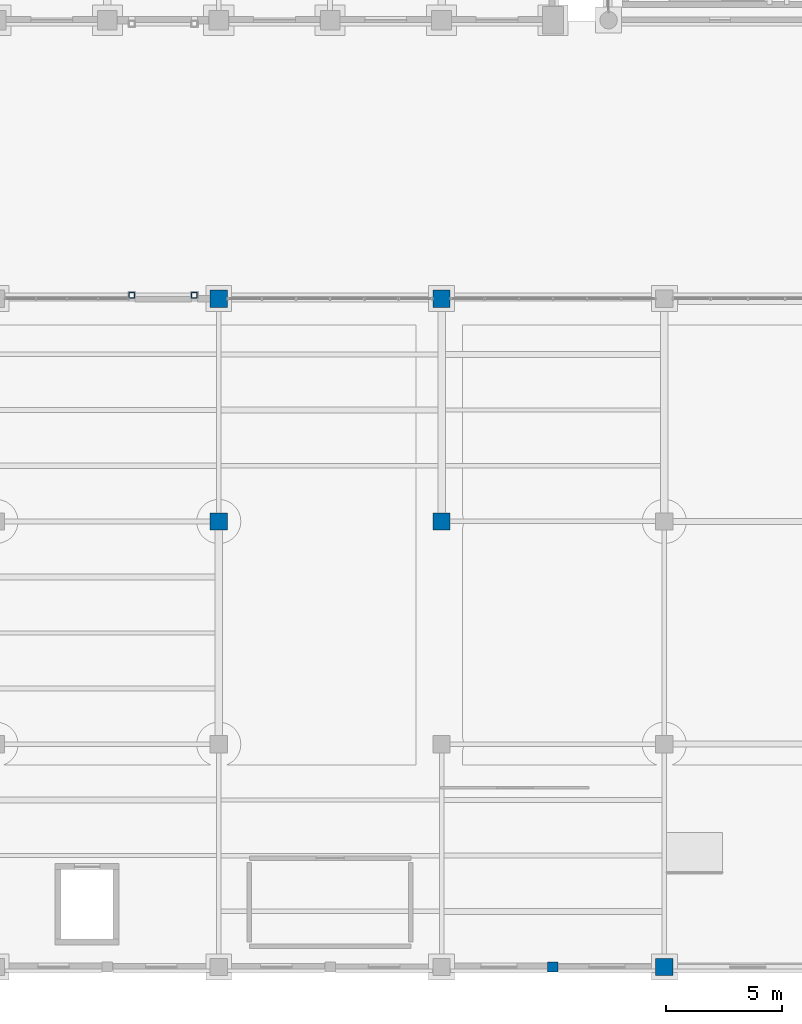
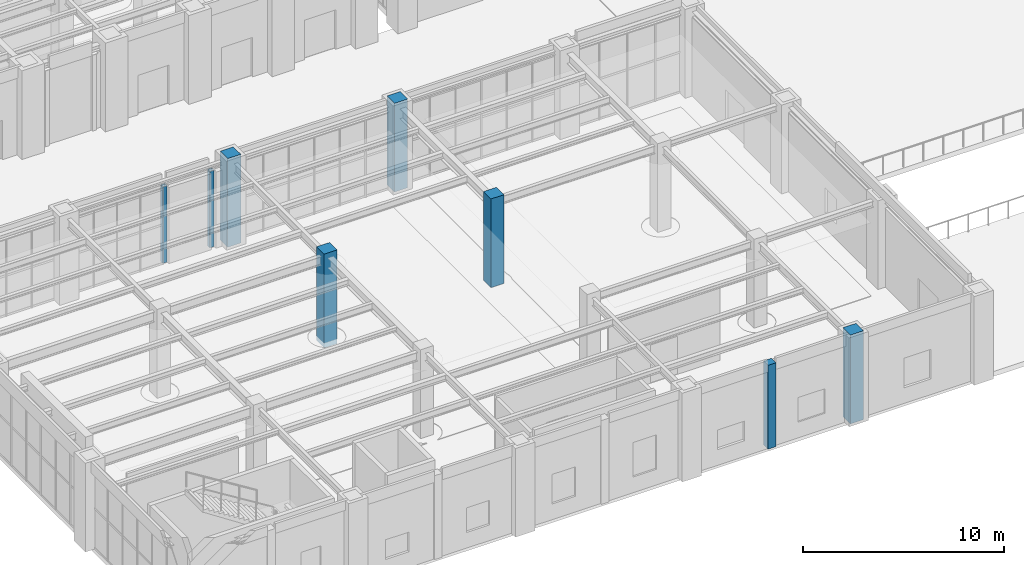
# One storey, part 3 of 164: 8 columns.
"""IFC4 building model written with IfcOpenShell, lengths in metres."""

import ifcopenshell
import ifcopenshell.guid

model = None  # the IFC model being written
_history = None  # IfcOwnerHistory: only IFC2X3 demands one
_inside = {}  # id of a spatial element -> (the spatial element, [elements in it])
_under = {}  # id of a project, library or spatial element -> (it, [spatial elements below it])
_declared = {}  # id of a project -> (the project, [libraries it declares])
_typed = {}  # id of a type object -> (the type object, [elements of that type])
_made_of = {}  # id of a material, layer set ... -> (it, [elements and type objects made of it])


def new_model(schema):
    """Start an empty IFC model of exactly this schema.

    Asked for "IFC4X3", IfcOpenShell would pick the latest addendum, in which some entities
    have other attributes; the version numbers below select the first issue.
    IFC2X3 requires an IfcOwnerHistory on every rooted entity: one is made here for all.
    """
    global model, _history
    if schema == "IFC4X3":
        model = ifcopenshell.file(schema_version=(4, 3, 0, 0))
    else:
        model = ifcopenshell.file(schema=schema)
    _inside.clear()
    _under.clear()
    _declared.clear()
    _typed.clear()
    _made_of.clear()
    _history = None
    if model.schema == "IFC2X3":
        org = make("IfcOrganization", Name="unknown")
        user = make(
            "IfcPersonAndOrganization",
            ThePerson=make("IfcPerson", FamilyName="unknown"),
            TheOrganization=org,
        )
        app = make(
            "IfcApplication",
            ApplicationDeveloper=org,
            Version="unknown",
            ApplicationFullName="unknown",
            ApplicationIdentifier="unknown",
        )
        _history = make(
            "IfcOwnerHistory",
            OwningUser=user,
            OwningApplication=app,
            ChangeAction="ADDED",
            CreationDate=0,
        )
    return model


def make(cls, **values):
    """One entity of the class cls with the attributes given. An attribute that is None is left unset."""
    return model.create_entity(
        cls, **{name: value for name, value in values.items() if value is not None}
    )


def rooted(cls, **values):
    """An entity with a GlobalId (a new one), such as an element, a storey or a relation."""
    return make(cls, GlobalId=ifcopenshell.guid.new(), OwnerHistory=_history, **values)


def si_unit(unit_type, name, prefix=None):
    """IfcSIUnit, for example si_unit("LENGTHUNIT", "METRE", prefix="MILLI")."""
    return make("IfcSIUnit", UnitType=unit_type, Prefix=prefix, Name=name)


def assignment(units):
    """IfcUnitAssignment: the units of a project."""
    return None if units is None else make("IfcUnitAssignment", Units=units)


def point(xyz):
    """IfcCartesianPoint."""
    return None if xyz is None else make("IfcCartesianPoint", Coordinates=xyz)


def direction(xyz):
    """IfcDirection."""
    return None if xyz is None else make("IfcDirection", DirectionRatios=xyz)


def frame(location, z_axis=None, x_axis=None):
    """IfcAxis2Placement3D, a coordinate frame: its origin and axes. An axis left out is left unset."""
    return make(
        "IfcAxis2Placement3D",
        Location=point(location),
        Axis=direction(z_axis),
        RefDirection=direction(x_axis),
    )


def frame_2d(location, x_axis=None):
    """IfcAxis2Placement2D, a coordinate frame in the plane: its origin and x axis."""
    return make(
        "IfcAxis2Placement2D", Location=point(location), RefDirection=direction(x_axis)
    )


def origin():
    """The frame at (0, 0, 0) with its axes left unset."""
    return frame((0.0, 0.0, 0.0))


def origin_2d():
    """The frame at (0, 0) in the plane with its x axis left unset."""
    return frame_2d((0.0, 0.0))


def place(relative_to, where):
    """IfcLocalPlacement: puts the frame where relative to a parent placement (None: the world)."""
    return make(
        "IfcLocalPlacement", PlacementRelTo=relative_to, RelativePlacement=where
    )


def context(
    kind, dimensions, precision=None, world=None, true_north=None, identifier=None
):
    """IfcGeometricRepresentationContext, for example the 3D "Model" context."""
    return make(
        "IfcGeometricRepresentationContext",
        ContextIdentifier=identifier,
        ContextType=kind,
        CoordinateSpaceDimension=dimensions,
        Precision=precision,
        WorldCoordinateSystem=world,
        TrueNorth=true_north,
    )


def subcontext(parent, identifier, kind, view, scale=None):
    """IfcGeometricRepresentationSubContext, for example "Body" below "Model"."""
    return make(
        "IfcGeometricRepresentationSubContext",
        ContextIdentifier=identifier,
        ContextType=kind,
        ParentContext=parent,
        TargetScale=scale,
        TargetView=view,
    )


def project(units=None, contexts=None):
    """IfcProject with its units and contexts."""
    return rooted(
        "IfcProject",
        Name="project",
        RepresentationContexts=contexts,
        UnitsInContext=assignment(units),
    )


def spatial(cls, under=None, at=None, **own):
    """A site, building, storey or space (cls), placed at a placement, below another one or the project."""
    s = rooted(cls, ObjectPlacement=at, **own)
    if under is not None:
        _under.setdefault(under.id(), (under, []))[1].append(s)
    return s


def profile(cls, at=None, kind="AREA", **sizes):
    """A parametric profile (cls). Its sizes go by their IFC names, for example OverallWidth=200.0."""
    return make(cls, ProfileType=kind, Position=at, **sizes)


def rectangle(**sizes):
    """IfcRectangleProfileDef."""
    return profile("IfcRectangleProfileDef", **sizes)


def hollow_rectangle(**sizes):
    """IfcRectangleHollowProfileDef."""
    return profile("IfcRectangleHollowProfileDef", **sizes)


def extrude(swept, where, along, depth):
    """IfcExtrudedAreaSolid: the profile swept, set in the frame where, extruded along a direction by depth."""
    return make(
        "IfcExtrudedAreaSolid",
        SweptArea=swept,
        Position=where,
        ExtrudedDirection=direction(along),
        Depth=depth,
    )


def shape(context_of_items, identifier, shape_type, items):
    """IfcShapeRepresentation: the items that make up one representation, for example the "Body"."""
    return make(
        "IfcShapeRepresentation",
        ContextOfItems=context_of_items,
        RepresentationIdentifier=identifier,
        RepresentationType=shape_type,
        Items=items,
    )


def material(Name=None, Category=None):
    """IfcMaterial."""
    return make("IfcMaterial", Name=Name, Category=Category)


def material_profile(
    of_material, cross_section, Name=None, Category=None, Priority=None
):
    """IfcMaterialProfile: a cross section and its material."""
    return make(
        "IfcMaterialProfile",
        Name=Name,
        Material=of_material,
        Profile=cross_section,
        Priority=Priority,
        Category=Category,
    )


def profile_set(profiles, Name=None, composite=None):
    """IfcMaterialProfileSet."""
    return make(
        "IfcMaterialProfileSet",
        Name=Name,
        MaterialProfiles=profiles,
        CompositeProfile=composite,
    )


def made_of(thing, what):
    """Note that an element or type object is made of a material, layer set ...; save() writes the relation."""
    if what is not None:
        _made_of.setdefault(what.id(), (what, []))[1].append(thing)
    return thing


def type_object(cls, material=None, **own):
    """A type object (cls), such as IfcWallType, which elements share."""
    return made_of(rooted(cls, **own), material)


def element(
    cls,
    number,
    at=None,
    inside=None,
    cuts=None,
    type_object=None,
    material=None,
    context=None,
    identifier="Body",
    shape_type=None,
    held_by="IfcProductDefinitionShape",
    body=None,
    shapes=None,
    **own,
):
    """One element of the class cls, such as IfcWall. Its Tag is "e" and its number.

    at: its placement. inside: the storey or other place that contains it. cuts: it is an
    opening in that element (IfcRelVoidsElement). A single representation is given by context,
    identifier, shape_type and body (its items); several are given by shapes. held_by: the class
    of the entity that holds the representations. save() writes the other relations.
    """
    e = rooted(cls, Tag="e%d" % number, ObjectPlacement=at, **own)
    if body is not None:
        shapes = [shape(context, identifier, shape_type, body)]
    if shapes is not None:
        e.Representation = make(held_by, Representations=shapes)
    if inside is not None:
        _inside.setdefault(inside.id(), (inside, []))[1].append(e)
    if cuts is not None:
        rooted(
            "IfcRelVoidsElement", RelatingBuildingElement=cuts, RelatedOpeningElement=e
        )
    if type_object is not None:
        _typed.setdefault(type_object.id(), (type_object, []))[1].append(e)
    return made_of(e, material)


def aggregate(whole, parts):
    """IfcRelAggregates: a whole, such as a stair, and the parts it consists of."""
    return rooted("IfcRelAggregates", RelatingObject=whole, RelatedObjects=parts)


def save(model, path):
    """Write the relations noted so far, then the file.

    IfcRelAggregates (storeys below a building ...), IfcRelContainedInSpatialStructure (elements
    in a storey), IfcRelDefinesByType, IfcRelAssociatesMaterial and IfcRelDeclares: one each for
    every whole, place, type object, material and project.
    """
    for whole, parts in _under.values():
        aggregate(whole, parts)
    for where, things in _inside.values():
        rooted(
            "IfcRelContainedInSpatialStructure",
            RelatedElements=things,
            RelatingStructure=where,
        )
    for kind, things in _typed.values():
        rooted("IfcRelDefinesByType", RelatedObjects=things, RelatingType=kind)
    for what, things in _made_of.values():
        rooted("IfcRelAssociatesMaterial", RelatedObjects=things, RelatingMaterial=what)
    for by, libraries in _declared.values():
        rooted("IfcRelDeclares", RelatingContext=by, RelatedDefinitions=libraries)
    model.write(path)


model = new_model("IFC4")

# Units and contexts
model_context = context("Model", 3, precision=1e-05, world=origin(), true_north=direction((0.0, 1.0)))
body_context = subcontext(model_context, "Body", "Model", "MODEL_VIEW")
ifc_project = project(units=[si_unit("LENGTHUNIT", "METRE"), si_unit("AREAUNIT", "SQUARE_METRE"), si_unit("VOLUMEUNIT", "CUBIC_METRE"), si_unit("PLANEANGLEUNIT", "RADIAN"), si_unit("MASSUNIT", "GRAM", prefix="KILO")], contexts=[model_context])

# Site, building, storey
site_placement = place(None, origin())
site = spatial("IfcSite", under=ifc_project, at=site_placement, CompositionType="ELEMENT")
building_placement = place(site_placement, origin())
building = spatial("IfcBuilding", under=site, at=building_placement, Name="Mavantir Sound Aquarium", CompositionType="ELEMENT")
storey_placement = place(building_placement, origin())
storey = spatial("IfcBuildingStorey", under=building, at=storey_placement, Name="L00", CompositionType="ELEMENT", Elevation=0.0)

# Columns
ifc_material_1 = material(Name="Concrete C40/50", Category="concrete")
ifc_material_profile_1 = material_profile(ifc_material_1, rectangle(XDim=0.449951171875, YDim=0.449951171875, at=origin_2d()), Name="RC 450X450")
ifc_profile_set_1 = profile_set([ifc_material_profile_1], Name="Concrete C40/50")
column_type_1 = type_object("IfcColumnType", Name="COL-RC450-E", PredefinedType="PILASTER", material=ifc_profile_set_1)
column_1_placement = place(storey_placement, frame((33.60009765625, 0.0, 0.0), z_axis=(0.0, 0.0, 1.0), x_axis=(1.0, 0.0, 0.0)))
element("IfcColumn", 1, at=column_1_placement, inside=storey, type_object=column_type_1, Name="Postmodern facade pilaster L00.4", PredefinedType="PILASTER", context=body_context, shape_type="SweptSolid", body=[
    extrude(rectangle(XDim=0.449951171875, YDim=0.449951171875, at=origin_2d()), origin(), (0.0, 0.0, 1.0), 5.10009765625),
])
ifc_material_profile_2 = material_profile(ifc_material_1, rectangle(XDim=0.75, YDim=0.75, at=origin_2d()), Name="RC 750X750")
ifc_profile_set_2 = profile_set([ifc_material_profile_2], Name="Concrete C40/50")
column_type_2 = type_object("IfcColumnType", Name="COL-RC750-E", PredefinedType="COLUMN", material=ifc_profile_set_2)
column_2_placement = place(storey_placement, frame((38.39990234375, 0.0, 0.0), z_axis=(0.0, 0.0, 1.0), x_axis=(1.0, 0.0, 0.0)))
element("IfcColumn", 2, at=column_2_placement, inside=storey, type_object=column_type_2, Name="L00 column RC-C75 (V3)", PredefinedType="COLUMN", context=body_context, shape_type="SweptSolid", body=[
    extrude(rectangle(XDim=0.75, YDim=0.75, at=origin_2d()), origin(), (0.0, 0.0, 1.0), 5.39990234375),
])
ifc_material_profile_3 = material_profile(ifc_material_1, rectangle(XDim=0.75, YDim=0.75, at=origin_2d()), Name="RC 750X750")
ifc_profile_set_3 = profile_set([ifc_material_profile_3], Name="Concrete C40/50")
column_type_3 = type_object("IfcColumnType", Name="COL-RC750-I", PredefinedType="COLUMN", material=ifc_profile_set_3)
column_3_placement = place(storey_placement, frame((19.199951171875, 19.199951171875, -0.300048828125), z_axis=(0.0, 0.0, 1.0), x_axis=(1.0, 0.0, 0.0)))
element("IfcColumn", 3, at=column_3_placement, inside=storey, type_object=column_type_3, Name="L00 column RC-C75 (V3)", PredefinedType="COLUMN", context=body_context, shape_type="SweptSolid", body=[
    extrude(rectangle(XDim=0.75, YDim=0.75, at=origin_2d()), origin(), (0.0, 0.0, 1.0), 5.699951171875),
])
for number, where, z_axis, x_axis, name in (
    (4, (19.199951171875, 28.800048828125, 0.0), (0.0, 0.0, 1.0), (1.0, 0.0, 0.0), "L00 column RC-C75 (V3)"),
    (5, (28.800048828125, 19.199951171875, 0.0), (0.0, 0.0, 1.0), (1.0, 0.0, 0.0), "L00 column RC-C75 (V3)"),
    (6, (28.800048828125, 28.800048828125, 0.0), (0.0, 0.0, 1.0), (1.0, 0.0, 0.0), "L00 column RC-C75 (V3)"),
):
    element("IfcColumn", number, at=place(storey_placement, frame(where, z_axis=z_axis, x_axis=x_axis)), inside=storey, type_object=column_type_3, Name=name, PredefinedType="COLUMN", context=body_context, shape_type="SweptSolid", body=[
        extrude(rectangle(XDim=0.75, YDim=0.75, at=origin_2d()), origin(), (0.0, 0.0, 1.0), 5.39990234375),
    ])
ifc_material_2 = material(Name="Hollow Structural Steel ASTM A500 GrC", Category="steel")
ifc_material_profile_4 = material_profile(ifc_material_2, hollow_rectangle(XDim=0.25, YDim=0.25, WallThickness=0.012451171875, InnerFilletRadius=0.012451171875, OuterFilletRadius=0.02490234375, at=origin_2d()), Name="SHS 250X250X12.5")
ifc_profile_set_4 = profile_set([ifc_material_profile_4], Name="Hollow Structural Steel ASTM A500 GrC")
column_type_4 = type_object("IfcColumnType", Name="COL-SHS250-E", PredefinedType="COLUMN", material=ifc_profile_set_4)
for number, where, z_axis, x_axis, name in (
    (7, (15.449951171875, 28.949951171875, 0.0), (0.0, 0.0, 1.0), (1.0, 0.0, 0.0), "Bridge support column 2.1 (L00)"),
    (8, (18.14990234375, 28.949951171875, 0.0), (0.0, 0.0, 1.0), (1.0, 0.0, 0.0), "Bridge support column 2.3 (L00)"),
):
    element("IfcColumn", number, at=place(storey_placement, frame(where, z_axis=z_axis, x_axis=x_axis)), inside=storey, type_object=column_type_4, Name=name, PredefinedType="COLUMN", context=body_context, shape_type="SweptSolid", body=[
        extrude(hollow_rectangle(XDim=0.25, YDim=0.25, WallThickness=0.012451171875, InnerFilletRadius=0.012451171875, OuterFilletRadius=0.02490234375, at=origin_2d()), origin(), (0.0, 0.0, 1.0), 4.65087890625),
    ])

save(model, "model.ifc")
